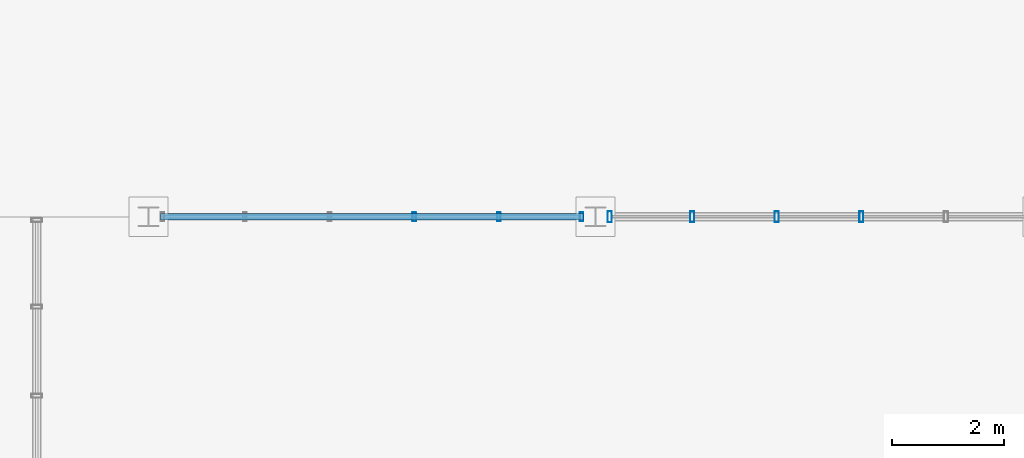
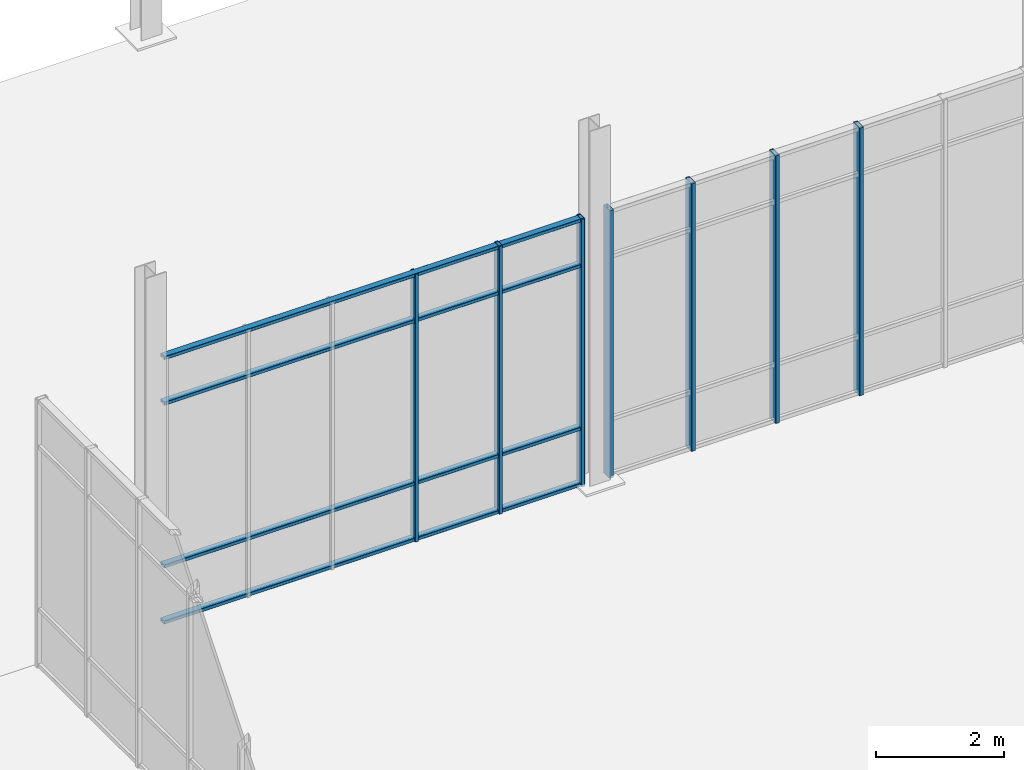
# One storey, part 65 of 140: 11 members, 2 elements without a shape of their own.
"""IFC4 building model written with IfcOpenShell, lengths in metres."""

import ifcopenshell
import ifcopenshell.guid

model = None  # the IFC model being written
_history = None  # IfcOwnerHistory: only IFC2X3 demands one
_inside = {}  # id of a spatial element -> (the spatial element, [elements in it])
_under = {}  # id of a project, library or spatial element -> (it, [spatial elements below it])
_declared = {}  # id of a project -> (the project, [libraries it declares])
_typed = {}  # id of a type object -> (the type object, [elements of that type])
_made_of = {}  # id of a material, layer set ... -> (it, [elements and type objects made of it])


def new_model(schema):
    """Start an empty IFC model of exactly this schema.

    Asked for "IFC4X3", IfcOpenShell would pick the latest addendum, in which some entities
    have other attributes; the version numbers below select the first issue.
    IFC2X3 requires an IfcOwnerHistory on every rooted entity: one is made here for all.
    """
    global model, _history
    if schema == "IFC4X3":
        model = ifcopenshell.file(schema_version=(4, 3, 0, 0))
    else:
        model = ifcopenshell.file(schema=schema)
    _inside.clear()
    _under.clear()
    _declared.clear()
    _typed.clear()
    _made_of.clear()
    _history = None
    if model.schema == "IFC2X3":
        org = make("IfcOrganization", Name="unknown")
        user = make(
            "IfcPersonAndOrganization",
            ThePerson=make("IfcPerson", FamilyName="unknown"),
            TheOrganization=org,
        )
        app = make(
            "IfcApplication",
            ApplicationDeveloper=org,
            Version="unknown",
            ApplicationFullName="unknown",
            ApplicationIdentifier="unknown",
        )
        _history = make(
            "IfcOwnerHistory",
            OwningUser=user,
            OwningApplication=app,
            ChangeAction="ADDED",
            CreationDate=0,
        )
    return model


def make(cls, **values):
    """One entity of the class cls with the attributes given. An attribute that is None is left unset."""
    return model.create_entity(
        cls, **{name: value for name, value in values.items() if value is not None}
    )


def rooted(cls, **values):
    """An entity with a GlobalId (a new one), such as an element, a storey or a relation."""
    return make(cls, GlobalId=ifcopenshell.guid.new(), OwnerHistory=_history, **values)


def si_unit(unit_type, name, prefix=None):
    """IfcSIUnit, for example si_unit("LENGTHUNIT", "METRE", prefix="MILLI")."""
    return make("IfcSIUnit", UnitType=unit_type, Prefix=prefix, Name=name)


def assignment(units):
    """IfcUnitAssignment: the units of a project."""
    return None if units is None else make("IfcUnitAssignment", Units=units)


def point(xyz):
    """IfcCartesianPoint."""
    return None if xyz is None else make("IfcCartesianPoint", Coordinates=xyz)


def direction(xyz):
    """IfcDirection."""
    return None if xyz is None else make("IfcDirection", DirectionRatios=xyz)


def frame(location, z_axis=None, x_axis=None):
    """IfcAxis2Placement3D, a coordinate frame: its origin and axes. An axis left out is left unset."""
    return make(
        "IfcAxis2Placement3D",
        Location=point(location),
        Axis=direction(z_axis),
        RefDirection=direction(x_axis),
    )


def frame_2d(location, x_axis=None):
    """IfcAxis2Placement2D, a coordinate frame in the plane: its origin and x axis."""
    return make(
        "IfcAxis2Placement2D", Location=point(location), RefDirection=direction(x_axis)
    )


def origin():
    """The frame at (0, 0, 0) with its axes left unset."""
    return frame((0.0, 0.0, 0.0))


def origin_2d():
    """The frame at (0, 0) in the plane with its x axis left unset."""
    return frame_2d((0.0, 0.0))


def place(relative_to, where):
    """IfcLocalPlacement: puts the frame where relative to a parent placement (None: the world)."""
    return make(
        "IfcLocalPlacement", PlacementRelTo=relative_to, RelativePlacement=where
    )


def context(
    kind, dimensions, precision=None, world=None, true_north=None, identifier=None
):
    """IfcGeometricRepresentationContext, for example the 3D "Model" context."""
    return make(
        "IfcGeometricRepresentationContext",
        ContextIdentifier=identifier,
        ContextType=kind,
        CoordinateSpaceDimension=dimensions,
        Precision=precision,
        WorldCoordinateSystem=world,
        TrueNorth=true_north,
    )


def subcontext(parent, identifier, kind, view, scale=None):
    """IfcGeometricRepresentationSubContext, for example "Body" below "Model"."""
    return make(
        "IfcGeometricRepresentationSubContext",
        ContextIdentifier=identifier,
        ContextType=kind,
        ParentContext=parent,
        TargetScale=scale,
        TargetView=view,
    )


def project(units=None, contexts=None):
    """IfcProject with its units and contexts."""
    return rooted(
        "IfcProject",
        Name="project",
        RepresentationContexts=contexts,
        UnitsInContext=assignment(units),
    )


def spatial(cls, under=None, at=None, **own):
    """A site, building, storey or space (cls), placed at a placement, below another one or the project."""
    s = rooted(cls, ObjectPlacement=at, **own)
    if under is not None:
        _under.setdefault(under.id(), (under, []))[1].append(s)
    return s


def profile(cls, at=None, kind="AREA", **sizes):
    """A parametric profile (cls). Its sizes go by their IFC names, for example OverallWidth=200.0."""
    return make(cls, ProfileType=kind, Position=at, **sizes)


def hollow_rectangle(**sizes):
    """IfcRectangleHollowProfileDef."""
    return profile("IfcRectangleHollowProfileDef", **sizes)


def extrude(swept, where, along, depth):
    """IfcExtrudedAreaSolid: the profile swept, set in the frame where, extruded along a direction by depth."""
    return make(
        "IfcExtrudedAreaSolid",
        SweptArea=swept,
        Position=where,
        ExtrudedDirection=direction(along),
        Depth=depth,
    )


def shape(context_of_items, identifier, shape_type, items):
    """IfcShapeRepresentation: the items that make up one representation, for example the "Body"."""
    return make(
        "IfcShapeRepresentation",
        ContextOfItems=context_of_items,
        RepresentationIdentifier=identifier,
        RepresentationType=shape_type,
        Items=items,
    )


def material(Name=None, Category=None):
    """IfcMaterial."""
    return make("IfcMaterial", Name=Name, Category=Category)


def material_profile(
    of_material, cross_section, Name=None, Category=None, Priority=None
):
    """IfcMaterialProfile: a cross section and its material."""
    return make(
        "IfcMaterialProfile",
        Name=Name,
        Material=of_material,
        Profile=cross_section,
        Priority=Priority,
        Category=Category,
    )


def profile_set(profiles, Name=None, composite=None):
    """IfcMaterialProfileSet."""
    return make(
        "IfcMaterialProfileSet",
        Name=Name,
        MaterialProfiles=profiles,
        CompositeProfile=composite,
    )


def made_of(thing, what):
    """Note that an element or type object is made of a material, layer set ...; save() writes the relation."""
    if what is not None:
        _made_of.setdefault(what.id(), (what, []))[1].append(thing)
    return thing


def type_object(cls, material=None, **own):
    """A type object (cls), such as IfcWallType, which elements share."""
    return made_of(rooted(cls, **own), material)


def element(
    cls,
    number,
    at=None,
    inside=None,
    cuts=None,
    type_object=None,
    material=None,
    context=None,
    identifier="Body",
    shape_type=None,
    held_by="IfcProductDefinitionShape",
    body=None,
    shapes=None,
    **own,
):
    """One element of the class cls, such as IfcWall. Its Tag is "e" and its number.

    at: its placement. inside: the storey or other place that contains it. cuts: it is an
    opening in that element (IfcRelVoidsElement). A single representation is given by context,
    identifier, shape_type and body (its items); several are given by shapes. held_by: the class
    of the entity that holds the representations. save() writes the other relations.
    """
    e = rooted(cls, Tag="e%d" % number, ObjectPlacement=at, **own)
    if body is not None:
        shapes = [shape(context, identifier, shape_type, body)]
    if shapes is not None:
        e.Representation = make(held_by, Representations=shapes)
    if inside is not None:
        _inside.setdefault(inside.id(), (inside, []))[1].append(e)
    if cuts is not None:
        rooted(
            "IfcRelVoidsElement", RelatingBuildingElement=cuts, RelatedOpeningElement=e
        )
    if type_object is not None:
        _typed.setdefault(type_object.id(), (type_object, []))[1].append(e)
    return made_of(e, material)


def aggregate(whole, parts):
    """IfcRelAggregates: a whole, such as a stair, and the parts it consists of."""
    return rooted("IfcRelAggregates", RelatingObject=whole, RelatedObjects=parts)


def save(model, path):
    """Write the relations noted so far, then the file.

    IfcRelAggregates (storeys below a building ...), IfcRelContainedInSpatialStructure (elements
    in a storey), IfcRelDefinesByType, IfcRelAssociatesMaterial and IfcRelDeclares: one each for
    every whole, place, type object, material and project.
    """
    for whole, parts in _under.values():
        aggregate(whole, parts)
    for where, things in _inside.values():
        rooted(
            "IfcRelContainedInSpatialStructure",
            RelatedElements=things,
            RelatingStructure=where,
        )
    for kind, things in _typed.values():
        rooted("IfcRelDefinesByType", RelatedObjects=things, RelatingType=kind)
    for what, things in _made_of.values():
        rooted("IfcRelAssociatesMaterial", RelatedObjects=things, RelatingMaterial=what)
    for by, libraries in _declared.values():
        rooted("IfcRelDeclares", RelatingContext=by, RelatedDefinitions=libraries)
    model.write(path)


model = new_model("IFC4")

# Units and contexts
model_context = context("Model", 3, precision=1e-05, world=origin(), true_north=direction((0.0, 1.0)))
body_context = subcontext(model_context, "Body", "Model", "MODEL_VIEW")
ifc_project = project(units=[si_unit("LENGTHUNIT", "METRE"), si_unit("AREAUNIT", "SQUARE_METRE"), si_unit("VOLUMEUNIT", "CUBIC_METRE"), si_unit("PLANEANGLEUNIT", "RADIAN"), si_unit("MASSUNIT", "GRAM", prefix="KILO")], contexts=[model_context])

# Site, building, storey
site_placement = place(None, origin())
site = spatial("IfcSite", under=ifc_project, at=site_placement, CompositionType="ELEMENT")
building_placement = place(site_placement, origin())
building = spatial("IfcBuilding", under=site, at=building_placement, Name="Verrall Gate Interchange", CompositionType="ELEMENT")
storey_placement = place(building_placement, origin())
storey = spatial("IfcBuildingStorey", under=building, at=storey_placement, Name="L01", CompositionType="ELEMENT", Elevation=0.0)

# Curtain wall, members
ifc_material_1 = material(Name="Thermally Broken Anodized Aluminium Curtain Wall Framing", Category="aluminium")
curtain_wall_type = type_object("IfcCurtainWallType", Name="CW-06 Unitized Curtain Wall 7631x5100", PredefinedType="NOTDEFINED", material=ifc_material_1)
curtain_wall_1_placement = place(storey_placement, origin())
curtain_wall_1 = element("IfcCurtainWall", 1, at=curtain_wall_1_placement, inside=storey, type_object=curtain_wall_type, Name="L01 Unitized Curtain Wall CW-L01-034", PredefinedType="NOTDEFINED")
ifc_material_2 = material(Name="Thermally Broken Anodized Aluminium Curtain Wall Framing", Category="aluminium")
ifc_material_profile_1 = material_profile(ifc_material_2, hollow_rectangle(XDim=0.06494140625, YDim=0.159912109375, WallThickness=0.00390625, InnerFilletRadius=0.00390625, OuterFilletRadius=0.008056640625, at=origin_2d()), Name="CWM160x65x4")
ifc_profile_set_1 = profile_set([ifc_material_profile_1], Name="Thermally Broken Anodized Aluminium Curtain Wall Framing")
member_type_1 = type_object("IfcMemberType", Name="CM-01 Curtain Mullion CWM160x65x4", PredefinedType="MULLION", material=ifc_profile_set_1)
member_1_placement = place(storey_placement, frame((67.7509765625, 90.0, 0.0), z_axis=(0.0, 0.0, 1.0), x_axis=(-1.0, 0.0, 0.0)))
member_1 = element("IfcMember", 2, at=member_1_placement, type_object=member_type_1, Name="CW-L01-034 Mullion 1", PredefinedType="MULLION", context=body_context, shape_type="SweptSolid", body=[
    extrude(hollow_rectangle(XDim=0.06494140625, YDim=0.159912109375, WallThickness=0.00390625, InnerFilletRadius=0.00390625, OuterFilletRadius=0.008056640625, at=origin_2d()), origin(), (0.0, 0.0, 1.0), 5.10009765625),
])
member_2_placement = place(storey_placement, frame((66.27001953125, 90.0, 0.0), z_axis=(0.0, 0.0, 1.0), x_axis=(-1.0, 0.0, 0.0)))
member_2 = element("IfcMember", 3, at=member_2_placement, type_object=member_type_1, Name="CW-L01-034 Mullion 2", PredefinedType="MULLION", context=body_context, shape_type="SweptSolid", body=[
    extrude(hollow_rectangle(XDim=0.06494140625, YDim=0.159912109375, WallThickness=0.00390625, InnerFilletRadius=0.00390625, OuterFilletRadius=0.008056640625, at=origin_2d()), origin(), (0.0, 0.0, 1.0), 5.10009765625),
])
member_3_placement = place(storey_placement, frame((64.756591796875, 90.0, 0.0), z_axis=(0.0, 0.0, 1.0), x_axis=(-1.0, 0.0, 0.0)))
member_3 = element("IfcMember", 4, at=member_3_placement, type_object=member_type_1, Name="CW-L01-034 Mullion 3", PredefinedType="MULLION", context=body_context, shape_type="SweptSolid", body=[
    extrude(hollow_rectangle(XDim=0.06494140625, YDim=0.159912109375, WallThickness=0.00390625, InnerFilletRadius=0.00390625, OuterFilletRadius=0.008056640625, at=origin_2d()), origin(), (0.0, 0.0, 1.0), 5.10009765625),
])

curtain_wall_2_placement = place(storey_placement, origin())
curtain_wall_2 = element("IfcCurtainWall", 5, at=curtain_wall_2_placement, inside=storey, type_object=curtain_wall_type, Name="L01 Unitized Curtain Wall CW-L01-033", PredefinedType="NOTDEFINED")
ifc_material_3 = material(Name="Thermally Broken Anodized Aluminium Curtain Wall Framing", Category="aluminium")
ifc_material_profile_2 = material_profile(ifc_material_3, hollow_rectangle(XDim=0.074951171875, YDim=0.199951171875, WallThickness=0.0048828125, InnerFilletRadius=0.0048828125, OuterFilletRadius=0.010009765625, at=origin_2d()), Name="CWM200x75x5")
ifc_profile_set_2 = profile_set([ifc_material_profile_2], Name="Thermally Broken Anodized Aluminium Curtain Wall Framing")
member_type_2 = type_object("IfcMemberType", Name="CM-02 Curtain Mullion CWM200x75x5", PredefinedType="MULLION", material=ifc_profile_set_2)
member_4_placement = place(storey_placement, frame((72.756591796875, 90.0, 0.0), z_axis=(0.0, 0.0, 1.0), x_axis=(-1.0, 0.0, 0.0)))
member_4 = element("IfcMember", 6, at=member_4_placement, type_object=member_type_2, Name="CW-L01-033 Mullion 3", PredefinedType="MULLION", context=body_context, shape_type="SweptSolid", body=[
    extrude(hollow_rectangle(XDim=0.074951171875, YDim=0.199951171875, WallThickness=0.0048828125, InnerFilletRadius=0.0048828125, OuterFilletRadius=0.010009765625, at=origin_2d()), origin(), (0.0, 0.0, 1.0), 5.10009765625),
])
member_5_placement = place(storey_placement, frame((71.243408203125, 90.0, 0.0), z_axis=(0.0, 0.0, 1.0), x_axis=(-1.0, 0.0, 0.0)))
member_5 = element("IfcMember", 7, at=member_5_placement, type_object=member_type_2, Name="CW-L01-033 Mullion 4", PredefinedType="MULLION", context=body_context, shape_type="SweptSolid", body=[
    extrude(hollow_rectangle(XDim=0.074951171875, YDim=0.199951171875, WallThickness=0.0048828125, InnerFilletRadius=0.0048828125, OuterFilletRadius=0.010009765625, at=origin_2d()), origin(), (0.0, 0.0, 1.0), 5.10009765625),
])
member_6_placement = place(storey_placement, frame((69.72998046875, 90.0, 0.0), z_axis=(0.0, 0.0, 1.0), x_axis=(-1.0, 0.0, 0.0)))
member_6 = element("IfcMember", 8, at=member_6_placement, type_object=member_type_2, Name="CW-L01-033 Mullion 5", PredefinedType="MULLION", context=body_context, shape_type="SweptSolid", body=[
    extrude(hollow_rectangle(XDim=0.074951171875, YDim=0.199951171875, WallThickness=0.0048828125, InnerFilletRadius=0.0048828125, OuterFilletRadius=0.010009765625, at=origin_2d()), origin(), (0.0, 0.0, 1.0), 5.10009765625),
])
member_7_placement = place(storey_placement, frame((68.25390625, 90.0, 0.0), z_axis=(0.0, 0.0, 1.0), x_axis=(-1.0, 0.0, 0.0)))
member_7 = element("IfcMember", 9, at=member_7_placement, type_object=member_type_2, Name="CW-L01-033 Mullion 6", PredefinedType="MULLION", context=body_context, shape_type="SweptSolid", body=[
    extrude(hollow_rectangle(XDim=0.074951171875, YDim=0.199951171875, WallThickness=0.0048828125, InnerFilletRadius=0.0048828125, OuterFilletRadius=0.010009765625, at=origin_2d()), origin(), (0.0, 0.0, 1.0), 5.10009765625),
])
aggregate(curtain_wall_2, [member_4, member_5, member_6, member_7])

# Member
ifc_material_4 = material(Name="Thermally Broken Anodized Aluminium Curtain Wall Framing", Category="aluminium")
ifc_material_profile_3 = material_profile(ifc_material_4, hollow_rectangle(XDim=0.1201171875, YDim=0.06494140625, WallThickness=0.00390625, InnerFilletRadius=0.00390625, OuterFilletRadius=0.008056640625, at=origin_2d()), Name="CWT120x65x4")
ifc_profile_set_3 = profile_set([ifc_material_profile_3], Name="Thermally Broken Anodized Aluminium Curtain Wall Framing")
member_type_3 = type_object("IfcMemberType", Name="CT-01 Curtain Transom CWT120x65x4", PredefinedType="USERDEFINED", material=ifc_profile_set_3)
member_8_placement = place(storey_placement, frame((67.783447265625, 90.0, 0.032470703125), z_axis=(-1.0, 0.0, 0.0), x_axis=(0.0, -1.0, 0.0)))
member_8 = element("IfcMember", 10, at=member_8_placement, type_object=member_type_3, Name="CW-L01-034 Transom 1", ObjectType="TRANSOM", PredefinedType="USERDEFINED", context=body_context, shape_type="SweptSolid", body=[
    extrude(hollow_rectangle(XDim=0.1201171875, YDim=0.06494140625, WallThickness=0.00390625, InnerFilletRadius=0.00390625, OuterFilletRadius=0.008056640625, at=origin_2d()), origin(), (0.0, 0.0, 1.0), 7.56689453125),
])

member_9_placement = place(storey_placement, frame((67.783447265625, 90.0, 1.10009765625), z_axis=(-1.0, 0.0, 0.0), x_axis=(0.0, -1.0, 0.0)))
member_9 = element("IfcMember", 11, at=member_9_placement, type_object=member_type_3, Name="CW-L01-034 Transom 2", ObjectType="TRANSOM", PredefinedType="USERDEFINED", context=body_context, shape_type="SweptSolid", body=[
    extrude(hollow_rectangle(XDim=0.1201171875, YDim=0.06494140625, WallThickness=0.00390625, InnerFilletRadius=0.00390625, OuterFilletRadius=0.008056640625, at=origin_2d()), origin(), (0.0, 0.0, 1.0), 7.56689453125),
])

member_10_placement = place(storey_placement, frame((67.783447265625, 90.0, 4.199951171875), z_axis=(-1.0, 0.0, 0.0), x_axis=(0.0, -1.0, 0.0)))
member_10 = element("IfcMember", 12, at=member_10_placement, type_object=member_type_3, Name="CW-L01-034 Transom 3", ObjectType="TRANSOM", PredefinedType="USERDEFINED", context=body_context, shape_type="SweptSolid", body=[
    extrude(hollow_rectangle(XDim=0.1201171875, YDim=0.06494140625, WallThickness=0.00390625, InnerFilletRadius=0.00390625, OuterFilletRadius=0.008056640625, at=origin_2d()), origin(), (0.0, 0.0, 1.0), 7.56689453125),
])

member_11_placement = place(storey_placement, frame((67.783447265625, 90.0, 5.0673828125), z_axis=(-1.0, 0.0, 0.0), x_axis=(0.0, -1.0, 0.0)))
member_11 = element("IfcMember", 13, at=member_11_placement, type_object=member_type_3, Name="CW-L01-034 Transom 4", ObjectType="TRANSOM", PredefinedType="USERDEFINED", context=body_context, shape_type="SweptSolid", body=[
    extrude(hollow_rectangle(XDim=0.1201171875, YDim=0.06494140625, WallThickness=0.00390625, InnerFilletRadius=0.00390625, OuterFilletRadius=0.008056640625, at=origin_2d()), origin(), (0.0, 0.0, 1.0), 7.56689453125),
])

aggregate(curtain_wall_1, [member_1, member_2, member_3, member_8, member_9, member_10, member_11])

save(model, "model.ifc")
